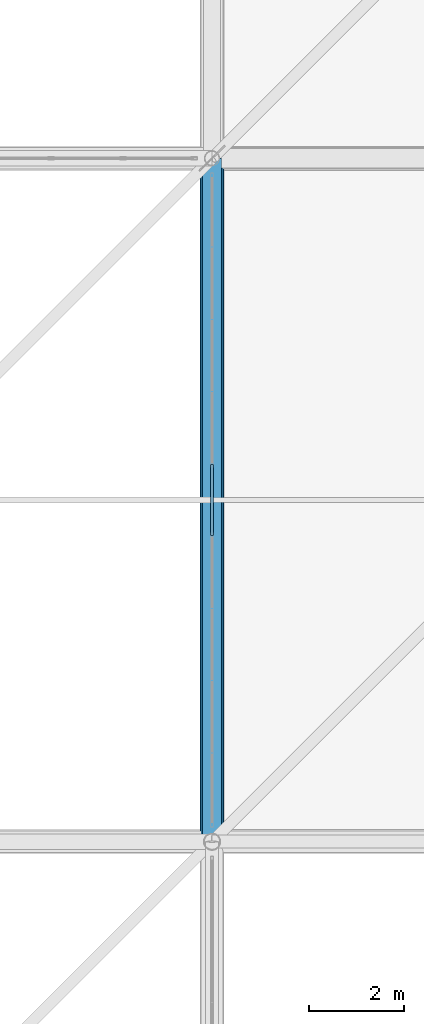
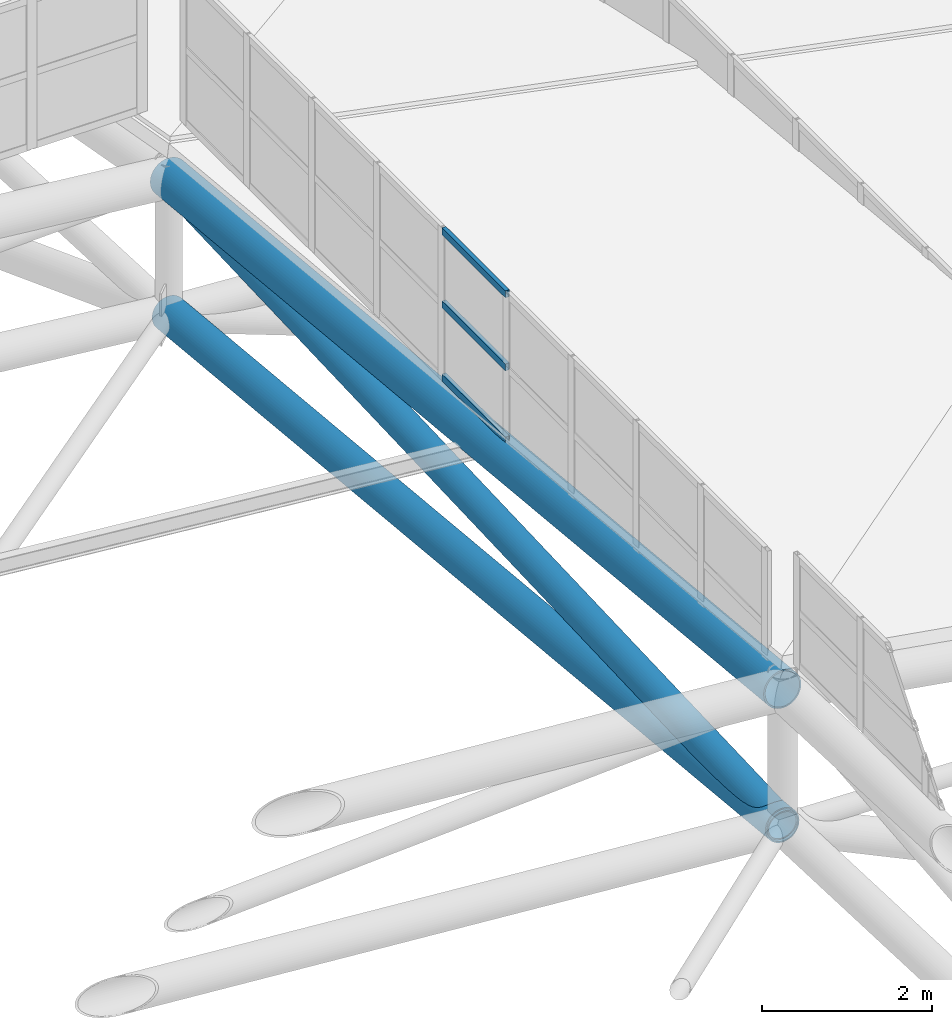
# One storey, part 291 of 397: 4 members, 2 beams, 1 element without a shape of its own.
"""IFC4 building model written with IfcOpenShell, lengths in metres."""

import ifcopenshell
import ifcopenshell.guid

model = None  # the IFC model being written
_history = None  # IfcOwnerHistory: only IFC2X3 demands one
_inside = {}  # id of a spatial element -> (the spatial element, [elements in it])
_under = {}  # id of a project, library or spatial element -> (it, [spatial elements below it])
_declared = {}  # id of a project -> (the project, [libraries it declares])
_typed = {}  # id of a type object -> (the type object, [elements of that type])
_made_of = {}  # id of a material, layer set ... -> (it, [elements and type objects made of it])


def new_model(schema):
    """Start an empty IFC model of exactly this schema.

    Asked for "IFC4X3", IfcOpenShell would pick the latest addendum, in which some entities
    have other attributes; the version numbers below select the first issue.
    IFC2X3 requires an IfcOwnerHistory on every rooted entity: one is made here for all.
    """
    global model, _history
    if schema == "IFC4X3":
        model = ifcopenshell.file(schema_version=(4, 3, 0, 0))
    else:
        model = ifcopenshell.file(schema=schema)
    _inside.clear()
    _under.clear()
    _declared.clear()
    _typed.clear()
    _made_of.clear()
    _history = None
    if model.schema == "IFC2X3":
        org = make("IfcOrganization", Name="unknown")
        user = make(
            "IfcPersonAndOrganization",
            ThePerson=make("IfcPerson", FamilyName="unknown"),
            TheOrganization=org,
        )
        app = make(
            "IfcApplication",
            ApplicationDeveloper=org,
            Version="unknown",
            ApplicationFullName="unknown",
            ApplicationIdentifier="unknown",
        )
        _history = make(
            "IfcOwnerHistory",
            OwningUser=user,
            OwningApplication=app,
            ChangeAction="ADDED",
            CreationDate=0,
        )
    return model


def make(cls, **values):
    """One entity of the class cls with the attributes given. An attribute that is None is left unset."""
    return model.create_entity(
        cls, **{name: value for name, value in values.items() if value is not None}
    )


def rooted(cls, **values):
    """An entity with a GlobalId (a new one), such as an element, a storey or a relation."""
    return make(cls, GlobalId=ifcopenshell.guid.new(), OwnerHistory=_history, **values)


def si_unit(unit_type, name, prefix=None):
    """IfcSIUnit, for example si_unit("LENGTHUNIT", "METRE", prefix="MILLI")."""
    return make("IfcSIUnit", UnitType=unit_type, Prefix=prefix, Name=name)


def assignment(units):
    """IfcUnitAssignment: the units of a project."""
    return None if units is None else make("IfcUnitAssignment", Units=units)


def point(xyz):
    """IfcCartesianPoint."""
    return None if xyz is None else make("IfcCartesianPoint", Coordinates=xyz)


def direction(xyz):
    """IfcDirection."""
    return None if xyz is None else make("IfcDirection", DirectionRatios=xyz)


def frame(location, z_axis=None, x_axis=None):
    """IfcAxis2Placement3D, a coordinate frame: its origin and axes. An axis left out is left unset."""
    return make(
        "IfcAxis2Placement3D",
        Location=point(location),
        Axis=direction(z_axis),
        RefDirection=direction(x_axis),
    )


def frame_2d(location, x_axis=None):
    """IfcAxis2Placement2D, a coordinate frame in the plane: its origin and x axis."""
    return make(
        "IfcAxis2Placement2D", Location=point(location), RefDirection=direction(x_axis)
    )


def origin():
    """The frame at (0, 0, 0) with its axes left unset."""
    return frame((0.0, 0.0, 0.0))


def origin_2d():
    """The frame at (0, 0) in the plane with its x axis left unset."""
    return frame_2d((0.0, 0.0))


def place(relative_to, where):
    """IfcLocalPlacement: puts the frame where relative to a parent placement (None: the world)."""
    return make(
        "IfcLocalPlacement", PlacementRelTo=relative_to, RelativePlacement=where
    )


def context(
    kind, dimensions, precision=None, world=None, true_north=None, identifier=None
):
    """IfcGeometricRepresentationContext, for example the 3D "Model" context."""
    return make(
        "IfcGeometricRepresentationContext",
        ContextIdentifier=identifier,
        ContextType=kind,
        CoordinateSpaceDimension=dimensions,
        Precision=precision,
        WorldCoordinateSystem=world,
        TrueNorth=true_north,
    )


def subcontext(parent, identifier, kind, view, scale=None):
    """IfcGeometricRepresentationSubContext, for example "Body" below "Model"."""
    return make(
        "IfcGeometricRepresentationSubContext",
        ContextIdentifier=identifier,
        ContextType=kind,
        ParentContext=parent,
        TargetScale=scale,
        TargetView=view,
    )


def project(units=None, contexts=None):
    """IfcProject with its units and contexts."""
    return rooted(
        "IfcProject",
        Name="project",
        RepresentationContexts=contexts,
        UnitsInContext=assignment(units),
    )


def spatial(cls, under=None, at=None, **own):
    """A site, building, storey or space (cls), placed at a placement, below another one or the project."""
    s = rooted(cls, ObjectPlacement=at, **own)
    if under is not None:
        _under.setdefault(under.id(), (under, []))[1].append(s)
    return s


def profile(cls, at=None, kind="AREA", **sizes):
    """A parametric profile (cls). Its sizes go by their IFC names, for example OverallWidth=200.0."""
    return make(cls, ProfileType=kind, Position=at, **sizes)


def hollow_rectangle(**sizes):
    """IfcRectangleHollowProfileDef."""
    return profile("IfcRectangleHollowProfileDef", **sizes)


def hollow_circle(**sizes):
    """IfcCircleHollowProfileDef."""
    return profile("IfcCircleHollowProfileDef", **sizes)


def extrude(swept, where, along, depth):
    """IfcExtrudedAreaSolid: the profile swept, set in the frame where, extruded along a direction by depth."""
    return make(
        "IfcExtrudedAreaSolid",
        SweptArea=swept,
        Position=where,
        ExtrudedDirection=direction(along),
        Depth=depth,
    )


def shape(context_of_items, identifier, shape_type, items):
    """IfcShapeRepresentation: the items that make up one representation, for example the "Body"."""
    return make(
        "IfcShapeRepresentation",
        ContextOfItems=context_of_items,
        RepresentationIdentifier=identifier,
        RepresentationType=shape_type,
        Items=items,
    )


def material(Name=None, Category=None):
    """IfcMaterial."""
    return make("IfcMaterial", Name=Name, Category=Category)


def material_profile(
    of_material, cross_section, Name=None, Category=None, Priority=None
):
    """IfcMaterialProfile: a cross section and its material."""
    return make(
        "IfcMaterialProfile",
        Name=Name,
        Material=of_material,
        Profile=cross_section,
        Priority=Priority,
        Category=Category,
    )


def profile_set(profiles, Name=None, composite=None):
    """IfcMaterialProfileSet."""
    return make(
        "IfcMaterialProfileSet",
        Name=Name,
        MaterialProfiles=profiles,
        CompositeProfile=composite,
    )


def made_of(thing, what):
    """Note that an element or type object is made of a material, layer set ...; save() writes the relation."""
    if what is not None:
        _made_of.setdefault(what.id(), (what, []))[1].append(thing)
    return thing


def type_object(cls, material=None, **own):
    """A type object (cls), such as IfcWallType, which elements share."""
    return made_of(rooted(cls, **own), material)


def element(
    cls,
    number,
    at=None,
    inside=None,
    cuts=None,
    type_object=None,
    material=None,
    context=None,
    identifier="Body",
    shape_type=None,
    held_by="IfcProductDefinitionShape",
    body=None,
    shapes=None,
    **own,
):
    """One element of the class cls, such as IfcWall. Its Tag is "e" and its number.

    at: its placement. inside: the storey or other place that contains it. cuts: it is an
    opening in that element (IfcRelVoidsElement). A single representation is given by context,
    identifier, shape_type and body (its items); several are given by shapes. held_by: the class
    of the entity that holds the representations. save() writes the other relations.
    """
    e = rooted(cls, Tag="e%d" % number, ObjectPlacement=at, **own)
    if body is not None:
        shapes = [shape(context, identifier, shape_type, body)]
    if shapes is not None:
        e.Representation = make(held_by, Representations=shapes)
    if inside is not None:
        _inside.setdefault(inside.id(), (inside, []))[1].append(e)
    if cuts is not None:
        rooted(
            "IfcRelVoidsElement", RelatingBuildingElement=cuts, RelatedOpeningElement=e
        )
    if type_object is not None:
        _typed.setdefault(type_object.id(), (type_object, []))[1].append(e)
    return made_of(e, material)


def aggregate(whole, parts):
    """IfcRelAggregates: a whole, such as a stair, and the parts it consists of."""
    return rooted("IfcRelAggregates", RelatingObject=whole, RelatedObjects=parts)


def save(model, path):
    """Write the relations noted so far, then the file.

    IfcRelAggregates (storeys below a building ...), IfcRelContainedInSpatialStructure (elements
    in a storey), IfcRelDefinesByType, IfcRelAssociatesMaterial and IfcRelDeclares: one each for
    every whole, place, type object, material and project.
    """
    for whole, parts in _under.values():
        aggregate(whole, parts)
    for where, things in _inside.values():
        rooted(
            "IfcRelContainedInSpatialStructure",
            RelatedElements=things,
            RelatingStructure=where,
        )
    for kind, things in _typed.values():
        rooted("IfcRelDefinesByType", RelatedObjects=things, RelatingType=kind)
    for what, things in _made_of.values():
        rooted("IfcRelAssociatesMaterial", RelatedObjects=things, RelatingMaterial=what)
    for by, libraries in _declared.values():
        rooted("IfcRelDeclares", RelatingContext=by, RelatedDefinitions=libraries)
    model.write(path)


model = new_model("IFC4")

# Units and contexts
model_context = context("Model", 3, precision=1e-05, world=origin(), true_north=direction((0.0, 1.0)))
body_context = subcontext(model_context, "Body", "Model", "MODEL_VIEW")
ifc_project = project(units=[si_unit("LENGTHUNIT", "METRE"), si_unit("AREAUNIT", "SQUARE_METRE"), si_unit("VOLUMEUNIT", "CUBIC_METRE"), si_unit("PLANEANGLEUNIT", "RADIAN"), si_unit("MASSUNIT", "GRAM", prefix="KILO")], contexts=[model_context])

# Site, building, storey
site_placement = place(None, origin())
site = spatial("IfcSite", under=ifc_project, at=site_placement, CompositionType="ELEMENT")
building_placement = place(site_placement, origin())
building = spatial("IfcBuilding", under=site, at=building_placement, Name="Qandorah Velis Arena", CompositionType="ELEMENT")
storey_placement = place(building_placement, frame((0.0, 0.0, 27.5)))
storey = spatial("IfcBuildingStorey", under=building, at=storey_placement, Name="RF", CompositionType="ELEMENT", Elevation=27.5)

# Curtain wall, members
ifc_material_1 = material(Name="Solar-control low-E double glazing", Category="glass")
curtain_wall_type = type_object("IfcCurtainWallType", Name="ARC-CW-SYS15", PredefinedType="USERDEFINED", material=ifc_material_1)
curtain_wall_placement = place(storey_placement, origin())
curtain_wall = element("IfcCurtainWall", 1, at=curtain_wall_placement, inside=storey, type_object=curtain_wall_type, Name="Unitised curtain wall OCULUS-2-5", ObjectType="UNITISED CURTAIN WALL", PredefinedType="USERDEFINED")
ifc_material_2 = material(Name="Champagne-bronze anodized aluminium 6063-T6", Category="aluminium")
ifc_material_profile_1 = material_profile(ifc_material_2, hollow_rectangle(XDim=0.054931640625, YDim=0.10009765625, WallThickness=0.0029296875, at=origin_2d()), Name="ALU TRANSOM 55x100")
ifc_profile_set_1 = profile_set([ifc_material_profile_1], Name="Champagne-bronze anodized aluminium 6063-T6")
member_type_1 = type_object("IfcMemberType", Name="ARC-CWT-100", PredefinedType="USERDEFINED", material=ifc_profile_set_1)
member_1_placement = place(storey_placement, frame((100.800048828125, 92.8544921875, 8.513427734375), z_axis=(0.0, 1.0, 0.0), x_axis=(-1.0, 0.0, 0.0)))
member_1 = element("IfcMember", 2, at=member_1_placement, type_object=member_type_1, Name="CW15 transom 5.1", ObjectType="TRANSOM", PredefinedType="USERDEFINED", context=body_context, shape_type="SweptSolid", body=[
    extrude(hollow_rectangle(XDim=0.054931640625, YDim=0.10009765625, WallThickness=0.0029296875, at=origin_2d()), origin(), (0.0, 0.0, 1.0), 1.4912109375),
])
member_2_placement = place(storey_placement, frame((100.800048828125, 92.8544921875, 9.56103515625), z_axis=(0.0, 1.0, 0.0), x_axis=(-1.0, 0.0, 0.0)))
member_2 = element("IfcMember", 3, at=member_2_placement, type_object=member_type_1, Name="CW15 transom 5.2", ObjectType="TRANSOM", PredefinedType="USERDEFINED", context=body_context, shape_type="SweptSolid", body=[
    extrude(hollow_rectangle(XDim=0.054931640625, YDim=0.10009765625, WallThickness=0.0029296875, at=origin_2d()), origin(), (0.0, 0.0, 1.0), 1.4912109375),
])
member_3_placement = place(storey_placement, frame((100.800048828125, 92.8544921875, 10.6083984375), z_axis=(0.0, 1.0, 0.0), x_axis=(-1.0, 0.0, 0.0)))
member_3 = element("IfcMember", 4, at=member_3_placement, type_object=member_type_1, Name="CW15 transom 5.3", ObjectType="TRANSOM", PredefinedType="USERDEFINED", context=body_context, shape_type="SweptSolid", body=[
    extrude(hollow_rectangle(XDim=0.054931640625, YDim=0.10009765625, WallThickness=0.0029296875, at=origin_2d()), origin(), (0.0, 0.0, 1.0), 1.4912109375),
])
aggregate(curtain_wall, [member_1, member_2, member_3])

# Beams
ifc_material_3 = material(Name="Steel S355", Category="steel")
ifc_material_profile_2 = material_profile(ifc_material_3, hollow_circle(Radius=0.228515625, WallThickness=0.01611328125, at=origin_2d()), Name="CHS 457x16")
ifc_profile_set_2 = profile_set([ifc_material_profile_2], Name="Steel S355")
beam_type_1 = type_object("IfcBeamType", Name="STR-SFC-CHS457X16", PredefinedType="USERDEFINED", material=ifc_profile_set_2)
beam_1_placement = place(storey_placement, frame((100.800048828125, 86.39990234375, 6.90771484375), z_axis=(0.0, 0.995358151916, -0.09624006138), x_axis=(-1.0, 0.0, 0.0)))
element("IfcBeam", 5, at=beam_1_placement, inside=storey, type_object=beam_type_1, Name="Space frame roof truss bottom chord Y 6.5", ObjectType="ROOF TRUSS", PredefinedType="USERDEFINED", context=body_context, shape_type="SweptSolid", body=[
    extrude(hollow_circle(Radius=0.228515625, WallThickness=0.01611328125, at=origin_2d()), origin(), (0.0, 0.0, 1.0), 14.46728515625),
])
ifc_material_profile_3 = material_profile(ifc_material_3, hollow_circle(Radius=0.25390625, WallThickness=0.02001953125, at=origin_2d()), Name="CHS 508x20")
ifc_profile_set_3 = profile_set([ifc_material_profile_3], Name="Steel S355")
beam_type_2 = type_object("IfcBeamType", Name="STR-SFC-CHS508X20", PredefinedType="USERDEFINED", material=ifc_profile_set_3)
beam_2_placement = place(storey_placement, frame((100.800048828125, 86.39990234375, 8.857666015625), z_axis=(0.0, 0.995358151916, -0.09624006138), x_axis=(-1.0, 0.0, 0.0)))
element("IfcBeam", 6, at=beam_2_placement, inside=storey, type_object=beam_type_2, Name="Space frame roof truss top chord Y 6.5", ObjectType="ROOF TRUSS", PredefinedType="USERDEFINED", context=body_context, shape_type="SweptSolid", body=[
    extrude(hollow_circle(Radius=0.25390625, WallThickness=0.02001953125, at=origin_2d()), origin(), (0.0, 0.0, 1.0), 14.46728515625),
])

# Member
ifc_material_profile_4 = material_profile(ifc_material_3, hollow_circle(Radius=0.203125, WallThickness=0.01611328125, at=origin_2d()), Name="CHS 406.4x16")
ifc_profile_set_4 = profile_set([ifc_material_profile_4], Name="Steel S355")
member_type_2 = type_object("IfcMemberType", Name="STR-SFD-CHS406X16", PredefinedType="STRUT", material=ifc_profile_set_4)
member_4_placement = place(storey_placement, frame((100.800048828125, 86.39990234375, 6.90771484375), z_axis=(0.0, 0.999251105892, 0.038694022445), x_axis=(-1.0, 0.0, 0.0)))
element("IfcMember", 7, at=member_4_placement, inside=storey, type_object=member_type_2, Name="Space frame roof diagonal Y 6.5", PredefinedType="STRUT", context=body_context, shape_type="SweptSolid", body=[
    extrude(hollow_circle(Radius=0.203125, WallThickness=0.01611328125, at=origin_2d()), origin(), (0.0, 0.0, 1.0), 14.410888671875),
])

save(model, "model.ifc")
